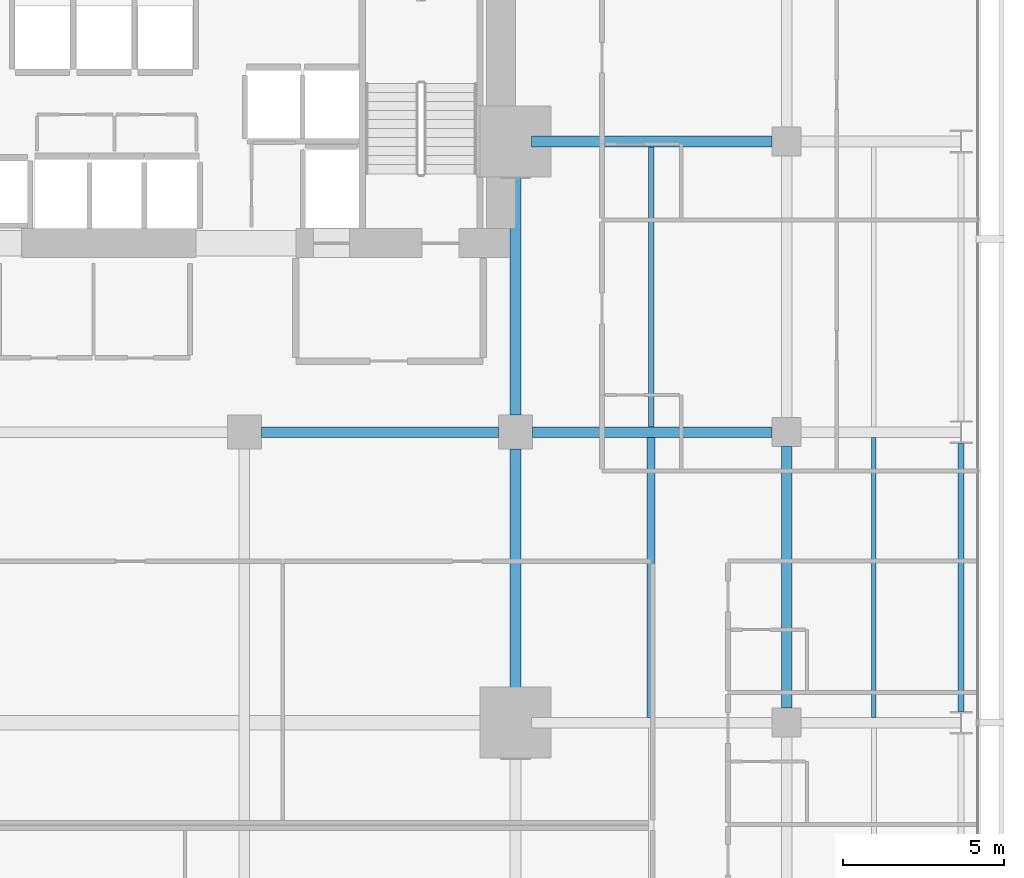
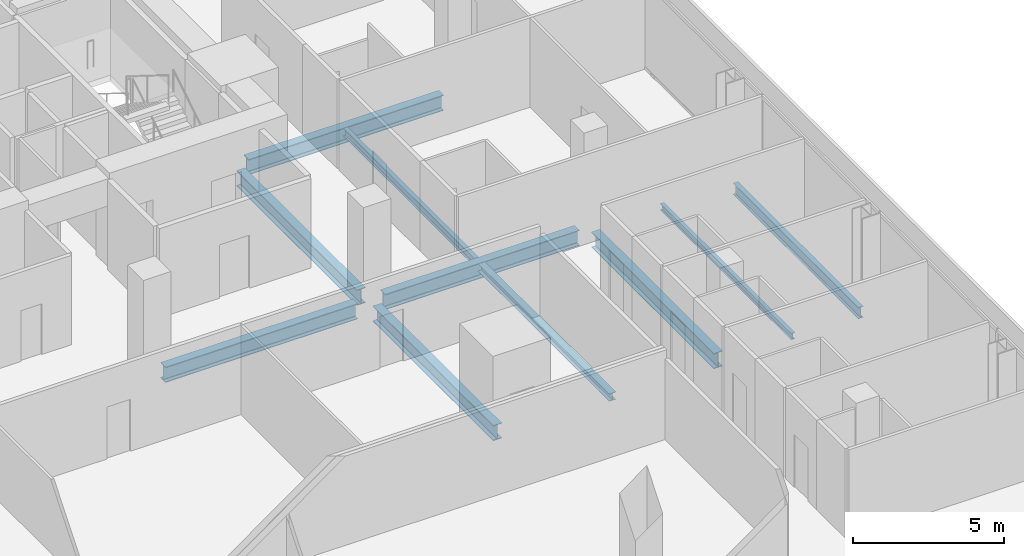
# One storey, part 27 of 41: 10 beams.
"""IFC4 building model written with IfcOpenShell, lengths in metres."""

from ifc_helpers import new_model, si_unit, direction, frame, origin, origin_2d, place, context, subcontext, project, spatial, i_section, extrude, material, material_profile, profile_set, type_object, element, save


model = new_model("IFC4")

# Units and contexts
model_context = context("Model", 3, precision=1e-05, world=origin(), true_north=direction((0.0, 1.0)))
body_context = subcontext(model_context, "Body", "Model", "MODEL_VIEW")
ifc_project = project(units=[si_unit("LENGTHUNIT", "METRE"), si_unit("AREAUNIT", "SQUARE_METRE"), si_unit("VOLUMEUNIT", "CUBIC_METRE"), si_unit("PLANEANGLEUNIT", "RADIAN"), si_unit("MASSUNIT", "GRAM", prefix="KILO")], contexts=[model_context])

# Site, building, storey
site_placement = place(None, origin())
site = spatial("IfcSite", under=ifc_project, at=site_placement, CompositionType="ELEMENT")
building_placement = place(site_placement, origin())
building = spatial("IfcBuilding", under=site, at=building_placement, Name="Maruvema Waterfront Hotel and Observation Tower", CompositionType="ELEMENT")
storey_placement = place(building_placement, frame((0.0, 0.0, 61.60009765625)))
storey = spatial("IfcBuildingStorey", under=building, at=storey_placement, Name="L14", CompositionType="ELEMENT", Elevation=61.60009765625)

# Beams
ifc_material_1 = material(Name="Steel ASTM A572 Grade 50", Category="steel")
ifc_material_profile_1 = material_profile(ifc_material_1, i_section(OverallWidth=0.18994140625, OverallDepth=0.45703125, WebThickness=0.009033203125, FlangeThickness=0.014404296875, FilletRadius=0.014892578125, at=origin_2d()), Name="W460x74.0")
ifc_profile_set_1 = profile_set([ifc_material_profile_1], Name="Steel ASTM A572 Grade 50")
beam_type_1 = type_object("IfcBeamType", Name="Perimeter Spandrel Beam W460x74.0", PredefinedType="SPANDREL", material=ifc_profile_set_1)
beam_1_placement = place(storey_placement, frame((64.199951171875, 27.35009765625, -0.468505859375), z_axis=(0.0, 1.0, 0.0), x_axis=(-1.0, 0.0, 0.0)))
element("IfcBeam", 1, at=beam_1_placement, inside=storey, type_object=beam_type_1, Name="L14 Floor Girder NS-35", PredefinedType="SPANDREL", context=body_context, shape_type="SweptSolid", body=[
    extrude(i_section(OverallWidth=0.18994140625, OverallDepth=0.45703125, WebThickness=0.009033203125, FlangeThickness=0.014404296875, FilletRadius=0.014892578125, at=origin_2d()), origin(), (0.0, 0.0, 1.0), 8.2998046875),
])
ifc_material_2 = material(Name="Steel ASTM A572 Grade 50", Category="steel")
ifc_material_profile_2 = material_profile(ifc_material_2, i_section(OverallWidth=0.326904296875, OverallDepth=0.6220703125, WebThickness=0.015380859375, FlangeThickness=0.0244140625, FilletRadius=0.01806640625, at=origin_2d()), Name="W610x195.0")
ifc_profile_set_2 = profile_set([ifc_material_profile_2], Name="Steel ASTM A572 Grade 50")
beam_type_2 = type_object("IfcBeamType", Name="Primary Floor Girder W610x195.0", PredefinedType="BEAM", material=ifc_profile_set_2)
beam_2_placement = place(storey_placement, frame((42.52490234375, 36.0, -0.551025390625), z_axis=(1.0, 0.0, 0.0), x_axis=(0.0, 1.0, 0.0)))
element("IfcBeam", 2, at=beam_2_placement, inside=storey, type_object=beam_type_2, Name="L14 Floor Girder EW-29", PredefinedType="BEAM", context=body_context, shape_type="SweptSolid", body=[
    extrude(i_section(OverallWidth=0.326904296875, OverallDepth=0.6220703125, WebThickness=0.015380859375, FlangeThickness=0.0244140625, FilletRadius=0.01806640625, at=origin_2d()), origin(), (0.0, 0.0, 1.0), 7.35009765625),
])
beam_3_placement = place(storey_placement, frame((50.925048828125, 36.0, -0.551025390625), z_axis=(1.0, 0.0, 0.0), x_axis=(0.0, 1.0, 0.0)))
element("IfcBeam", 3, at=beam_3_placement, inside=storey, type_object=beam_type_2, Name="L14 Floor Girder EW-30", PredefinedType="BEAM", context=body_context, shape_type="SweptSolid", body=[
    extrude(i_section(OverallWidth=0.326904296875, OverallDepth=0.6220703125, WebThickness=0.015380859375, FlangeThickness=0.0244140625, FilletRadius=0.01806640625, at=origin_2d()), origin(), (0.0, 0.0, 1.0), 7.425048828125),
])
beam_4_placement = place(storey_placement, frame((50.89990234375, 45.0, -0.551025390625), z_axis=(1.0, 0.0, 0.0), x_axis=(0.0, 1.0, 0.0)))
element("IfcBeam", 4, at=beam_4_placement, inside=storey, type_object=beam_type_2, Name="L14 Floor Girder EW-34", PredefinedType="BEAM", context=body_context, shape_type="SweptSolid", body=[
    extrude(i_section(OverallWidth=0.326904296875, OverallDepth=0.6220703125, WebThickness=0.015380859375, FlangeThickness=0.0244140625, FilletRadius=0.01806640625, at=origin_2d()), origin(), (0.0, 0.0, 1.0), 7.4501953125),
])
for number, where, z_axis, x_axis, name in (
    (5, (50.39990234375, 27.5, -0.551025390625), (0.0, 1.0, 0.0), (-1.0, 0.0, 0.0), "L14 Floor Girder NS-25"),
    (6, (50.39990234375, 36.52490234375, -0.551025390625), (0.0, 1.0, 0.0), (-1.0, 0.0, 0.0), "L14 Floor Girder NS-26"),
):
    element("IfcBeam", number, at=place(storey_placement, frame(where, z_axis=z_axis, x_axis=x_axis)), inside=storey, type_object=beam_type_2, Name=name, PredefinedType="BEAM", context=body_context, shape_type="SweptSolid", body=[
        extrude(i_section(OverallWidth=0.326904296875, OverallDepth=0.6220703125, WebThickness=0.015380859375, FlangeThickness=0.0244140625, FilletRadius=0.01806640625, at=origin_2d()), origin(), (0.0, 0.0, 1.0), 7.97509765625),
    ])
beam_5_placement = place(storey_placement, frame((58.800048828125, 27.449951171875, -0.551025390625), z_axis=(0.0, 1.0, 0.0), x_axis=(-1.0, 0.0, 0.0)))
element("IfcBeam", 7, at=beam_5_placement, inside=storey, type_object=beam_type_2, Name="L14 Floor Girder NS-30", PredefinedType="BEAM", context=body_context, shape_type="SweptSolid", body=[
    extrude(i_section(OverallWidth=0.326904296875, OverallDepth=0.6220703125, WebThickness=0.015380859375, FlangeThickness=0.0244140625, FilletRadius=0.01806640625, at=origin_2d()), origin(), (0.0, 0.0, 1.0), 8.10009765625),
])
ifc_material_3 = material(Name="Steel ASTM A572 Grade 50", Category="steel")
ifc_material_profile_3 = material_profile(ifc_material_3, i_section(OverallWidth=0.14599609375, OverallDepth=0.258056640625, WebThickness=0.006103515625, FlangeThickness=0.009033203125, FilletRadius=0.012939453125, at=origin_2d()), Name="W250x32.7")
ifc_profile_set_3 = profile_set([ifc_material_profile_3], Name="Steel ASTM A572 Grade 50")
beam_type_3 = type_object("IfcBeamType", Name="Secondary Floor Joist W250x32.7", PredefinedType="JOIST", material=ifc_profile_set_3)
beam_6_placement = place(storey_placement, frame((61.5, 27.16357421875, -0.369140625), z_axis=(0.0, 1.0, 0.0), x_axis=(-1.0, 0.0, 0.0)))
element("IfcBeam", 8, at=beam_6_placement, inside=storey, type_object=beam_type_3, Name="L14 Secondary Floor Joist JS-23", PredefinedType="JOIST", context=body_context, shape_type="SweptSolid", body=[
    extrude(i_section(OverallWidth=0.14599609375, OverallDepth=0.258056640625, WebThickness=0.006103515625, FlangeThickness=0.009033203125, FilletRadius=0.012939453125, at=origin_2d()), origin(), (0.0, 0.0, 1.0), 8.6728515625),
])
ifc_material_4 = material(Name="Steel ASTM A572 Grade 50", Category="steel")
ifc_material_profile_4 = material_profile(ifc_material_4, i_section(OverallWidth=0.1669921875, OverallDepth=0.31689453125, WebThickness=0.007568359375, FlangeThickness=0.01318359375, FilletRadius=0.012939453125, at=origin_2d()), Name="W310x52.0")
ifc_profile_set_4 = profile_set([ifc_material_profile_4], Name="Steel ASTM A572 Grade 50")
beam_type_4 = type_object("IfcBeamType", Name="Secondary Floor Joist W310x52.0", PredefinedType="JOIST", material=ifc_profile_set_4)
beam_7_placement = place(storey_placement, frame((54.60009765625, 36.16357421875, -0.398681640625), z_axis=(0.0, 1.0, 0.0), x_axis=(-1.0, 0.0, 0.0)))
element("IfcBeam", 9, at=beam_7_placement, inside=storey, type_object=beam_type_4, Name="L14 Secondary Floor Joist JS-20", PredefinedType="JOIST", context=body_context, shape_type="SweptSolid", body=[
    extrude(i_section(OverallWidth=0.1669921875, OverallDepth=0.31689453125, WebThickness=0.007568359375, FlangeThickness=0.01318359375, FilletRadius=0.012939453125, at=origin_2d()), origin(), (0.0, 0.0, 1.0), 8.6728515625),
])
ifc_material_5 = material(Name="Steel ASTM A572 Grade 50", Category="steel")
ifc_material_profile_5 = material_profile(ifc_material_5, i_section(OverallWidth=0.25390625, OverallDepth=0.305908203125, WebThickness=0.0087890625, FlangeThickness=0.0146484375, FilletRadius=0.014892578125, at=origin_2d()), Name="W310x79.0")
ifc_profile_set_5 = profile_set([ifc_material_profile_5], Name="Steel ASTM A572 Grade 50")
beam_type_5 = type_object("IfcBeamType", Name="Secondary Floor Joist W310x79.0", PredefinedType="JOIST", material=ifc_profile_set_5)
beam_8_placement = place(storey_placement, frame((54.60009765625, 27.16357421875, -0.39306640625), z_axis=(0.0, 1.0, 0.0), x_axis=(-1.0, 0.0, 0.0)))
element("IfcBeam", 10, at=beam_8_placement, inside=storey, type_object=beam_type_5, Name="L14 Secondary Floor Joist JS-19", PredefinedType="JOIST", context=body_context, shape_type="SweptSolid", body=[
    extrude(i_section(OverallWidth=0.25390625, OverallDepth=0.305908203125, WebThickness=0.0087890625, FlangeThickness=0.0146484375, FilletRadius=0.014892578125, at=origin_2d()), origin(), (0.0, 0.0, 1.0), 8.6728515625),
])

save(model, "model.ifc")
